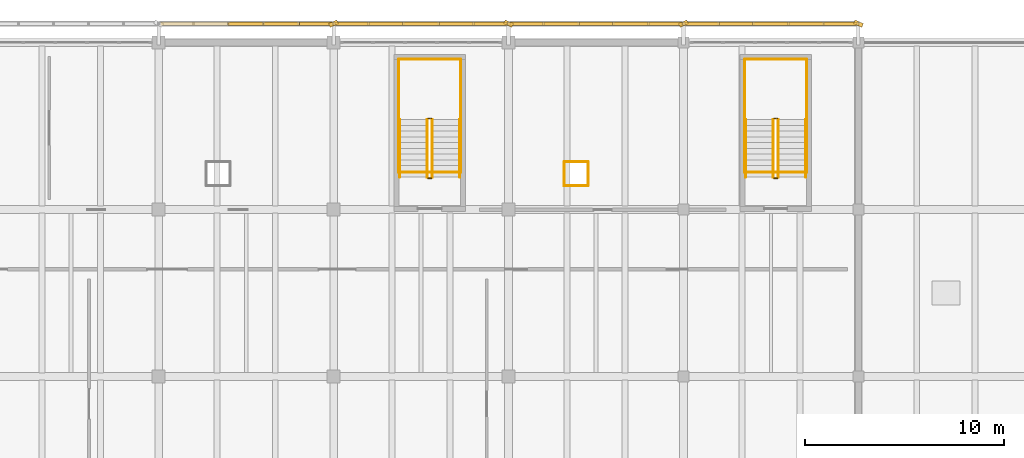
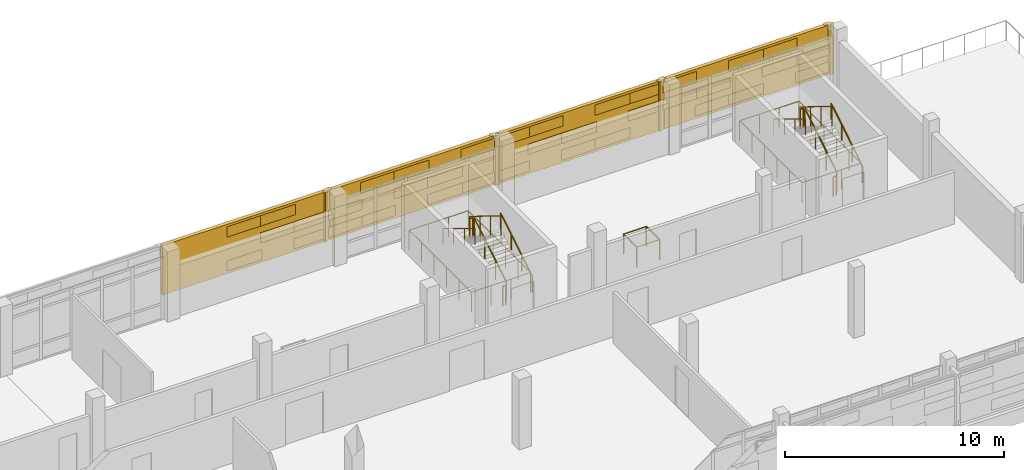
# One storey, part 115 of 117: 40 coverings, 24 railings, 4 shading devices.
"""IFC4 building model written with IfcOpenShell, lengths in metres."""

from ifc_helpers import new_model, si_unit, direction, frame, origin, origin_2d, place, context, subcontext, project, spatial, rectangle, circle, extrude, material, layer, layer_set, type_object, element, save


model = new_model("IFC4")

# Units and contexts
model_context = context("Model", 3, precision=1e-05, world=origin(), true_north=direction((0.0, 1.0)))
body_context = subcontext(model_context, "Body", "Model", "MODEL_VIEW")
ifc_project = project(units=[si_unit("LENGTHUNIT", "METRE"), si_unit("AREAUNIT", "SQUARE_METRE"), si_unit("VOLUMEUNIT", "CUBIC_METRE"), si_unit("PLANEANGLEUNIT", "RADIAN"), si_unit("MASSUNIT", "GRAM", prefix="KILO")], contexts=[model_context])

# Site, building, storey
site_placement = place(None, origin())
site = spatial("IfcSite", under=ifc_project, at=site_placement, CompositionType="ELEMENT")
building_placement = place(site_placement, origin())
building = spatial("IfcBuilding", under=site, at=building_placement, Name="Cinderway Yard Community Centre", CompositionType="ELEMENT")
storey_placement = place(building_placement, frame((0.0, 0.0, 9.0)))
storey = spatial("IfcBuildingStorey", under=building, at=storey_placement, Name="L02", CompositionType="ELEMENT", Elevation=9.0)

# Coverings
ifc_material_1 = material(Name="Brick Masonry", Category="masonry")
ifc_layer = layer(ifc_material_1, 0.18994140625, Name="Brick Masonry")
ifc_layer_set = layer_set([ifc_layer], Name="Brick Masonry")
covering_type = type_object("IfcCoveringType", Name="ENV-COV-BRK-SCREEN", PredefinedType="CLADDING", material=ifc_layer_set)
for number, where, z_axis, x_axis, name in (
    (1, (110.39990234375, 116.14990234375, 0.64990234375), (0.0, 0.0, 1.0), (0.913545457643, 0.406736643076, 0.0), "Deconstructivist folded brick fin 0142"),
    (2, (119.199951171875, 116.14990234375, 0.64990234375), (0.0, 0.0, 1.0), (0.913545457643, -0.406736643076, 0.0), "Deconstructivist folded brick fin 0143"),
    (3, (128.0, 116.14990234375, 0.64990234375), (0.0, 0.0, 1.0), (0.913545457643, 0.406736643076, 0.0), "Deconstructivist folded brick fin 0144"),
    (4, (136.800048828125, 116.14990234375, 0.64990234375), (0.0, 0.0, 1.0), (0.913545457643, -0.406736643076, 0.0), "Deconstructivist folded brick fin 0145"),
):
    element("IfcCovering", number, at=place(storey_placement, frame(where, z_axis=z_axis, x_axis=x_axis)), inside=storey, type_object=covering_type, Name=name, PredefinedType="CLADDING", context=body_context, shape_type="SweptSolid", body=[
        extrude(rectangle(XDim=0.4599609375, YDim=0.199951171875, at=origin_2d()), origin(), (0.0, 0.0, 1.0), 2.75),
    ])
for number, where, z_axis, x_axis, name in (
    (5, (106.0, 116.14990234375, 0.79052734375), (0.0, 0.0, 1.0), (1.0, 0.0, 0.0), "Open-bond perforated brick screen course 00217"),
    (6, (109.52001953125, 116.14990234375, 0.79052734375), (0.0, 0.0, 1.0), (1.0, 0.0, 0.0), "Open-bond perforated brick screen course 00218"),
    (7, (107.760009765625, 116.14990234375, 1.736328125), (0.0, 0.0, 1.0), (1.0, 0.0, 0.0), "Open-bond perforated brick screen course 00221"),
    (8, (109.52001953125, 116.14990234375, 1.736328125), (0.0, 0.0, 1.0), (1.0, 0.0, 0.0), "Open-bond perforated brick screen course 00222"),
    (9, (106.0, 116.14990234375, 2.6826171875), (0.0, 0.0, 1.0), (1.0, 0.0, 0.0), "Open-bond perforated brick screen course 00224"),
    (10, (107.760009765625, 116.14990234375, 2.6826171875), (0.0, 0.0, 1.0), (1.0, 0.0, 0.0), "Open-bond perforated brick screen course 00225"),
    (11, (111.280029296875, 116.14990234375, 0.79052734375), (0.0, 0.0, 1.0), (1.0, 0.0, 0.0), "Open-bond perforated brick screen course 00226"),
    (12, (113.0400390625, 116.14990234375, 0.79052734375), (0.0, 0.0, 1.0), (1.0, 0.0, 0.0), "Open-bond perforated brick screen course 00227"),
    (13, (116.56005859375, 116.14990234375, 0.79052734375), (0.0, 0.0, 1.0), (1.0, 0.0, 0.0), "Open-bond perforated brick screen course 00228"),
    (14, (118.320068359375, 116.14990234375, 0.79052734375), (0.0, 0.0, 1.0), (1.0, 0.0, 0.0), "Open-bond perforated brick screen course 00229"),
    (15, (111.280029296875, 116.14990234375, 1.736328125), (0.0, 0.0, 1.0), (1.0, 0.0, 0.0), "Open-bond perforated brick screen course 00230"),
    (16, (114.800048828125, 116.14990234375, 1.736328125), (0.0, 0.0, 1.0), (1.0, 0.0, 0.0), "Open-bond perforated brick screen course 00231"),
    (17, (116.56005859375, 116.14990234375, 1.736328125), (0.0, 0.0, 1.0), (1.0, 0.0, 0.0), "Open-bond perforated brick screen course 00232"),
    (18, (113.0400390625, 116.14990234375, 2.6826171875), (0.0, 0.0, 1.0), (1.0, 0.0, 0.0), "Open-bond perforated brick screen course 00233"),
    (19, (114.800048828125, 116.14990234375, 2.6826171875), (0.0, 0.0, 1.0), (1.0, 0.0, 0.0), "Open-bond perforated brick screen course 00234"),
    (20, (118.320068359375, 116.14990234375, 2.6826171875), (0.0, 0.0, 1.0), (1.0, 0.0, 0.0), "Open-bond perforated brick screen course 00235"),
    (21, (120.080078125, 116.14990234375, 0.79052734375), (0.0, 0.0, 1.0), (1.0, 0.0, 0.0), "Open-bond perforated brick screen course 00236"),
    (22, (123.60009765625, 116.14990234375, 0.79052734375), (0.0, 0.0, 1.0), (1.0, 0.0, 0.0), "Open-bond perforated brick screen course 00237"),
    (23, (125.360107421875, 116.14990234375, 0.79052734375), (0.0, 0.0, 1.0), (1.0, 0.0, 0.0), "Open-bond perforated brick screen course 00238"),
    (24, (121.840087890625, 116.14990234375, 1.736328125), (0.0, 0.0, 1.0), (1.0, 0.0, 0.0), "Open-bond perforated brick screen course 00239"),
    (25, (123.60009765625, 116.14990234375, 1.736328125), (0.0, 0.0, 1.0), (1.0, 0.0, 0.0), "Open-bond perforated brick screen course 00240"),
    (26, (127.1201171875, 116.14990234375, 1.736328125), (0.0, 0.0, 1.0), (1.0, 0.0, 0.0), "Open-bond perforated brick screen course 00241"),
    (27, (120.080078125, 116.14990234375, 2.6826171875), (0.0, 0.0, 1.0), (1.0, 0.0, 0.0), "Open-bond perforated brick screen course 00242"),
    (28, (121.840087890625, 116.14990234375, 2.6826171875), (0.0, 0.0, 1.0), (1.0, 0.0, 0.0), "Open-bond perforated brick screen course 00243"),
    (29, (125.360107421875, 116.14990234375, 2.6826171875), (0.0, 0.0, 1.0), (1.0, 0.0, 0.0), "Open-bond perforated brick screen course 00244"),
    (30, (127.1201171875, 116.14990234375, 2.6826171875), (0.0, 0.0, 1.0), (1.0, 0.0, 0.0), "Open-bond perforated brick screen course 00245"),
    (31, (130.639892578125, 116.14990234375, 0.79052734375), (0.0, 0.0, 1.0), (1.0, 0.0, 0.0), "Open-bond perforated brick screen course 00246"),
    (32, (132.39990234375, 116.14990234375, 0.79052734375), (0.0, 0.0, 1.0), (1.0, 0.0, 0.0), "Open-bond perforated brick screen course 00247"),
    (33, (135.919921875, 116.14990234375, 0.79052734375), (0.0, 0.0, 1.0), (1.0, 0.0, 0.0), "Open-bond perforated brick screen course 00248"),
    (34, (128.8798828125, 116.14990234375, 1.736328125), (0.0, 0.0, 1.0), (1.0, 0.0, 0.0), "Open-bond perforated brick screen course 00249"),
    (35, (130.639892578125, 116.14990234375, 1.736328125), (0.0, 0.0, 1.0), (1.0, 0.0, 0.0), "Open-bond perforated brick screen course 00250"),
    (36, (134.159912109375, 116.14990234375, 1.736328125), (0.0, 0.0, 1.0), (1.0, 0.0, 0.0), "Open-bond perforated brick screen course 00251"),
    (37, (135.919921875, 116.14990234375, 1.736328125), (0.0, 0.0, 1.0), (1.0, 0.0, 0.0), "Open-bond perforated brick screen course 00252"),
    (38, (128.8798828125, 116.14990234375, 2.6826171875), (0.0, 0.0, 1.0), (1.0, 0.0, 0.0), "Open-bond perforated brick screen course 00253"),
    (39, (132.39990234375, 116.14990234375, 2.6826171875), (0.0, 0.0, 1.0), (1.0, 0.0, 0.0), "Open-bond perforated brick screen course 00254"),
    (40, (134.159912109375, 116.14990234375, 2.6826171875), (0.0, 0.0, 1.0), (1.0, 0.0, 0.0), "Open-bond perforated brick screen course 00255"),
):
    element("IfcCovering", number, at=place(storey_placement, frame(where, z_axis=z_axis, x_axis=x_axis)), inside=storey, type_object=covering_type, Name=name, PredefinedType="CLADDING", context=body_context, shape_type="SweptSolid", body=[
        extrude(rectangle(XDim=1.840087890625, YDim=0.18994140625, at=origin_2d()), origin(), (0.0, 0.0, 1.0), 0.576904296875),
    ])

# Shading devices
shading_device_type = type_object("IfcShadingDeviceType", Name="ENV-SHD-BRICKSCREEN-A", PredefinedType="USERDEFINED", material=ifc_material_1)
for number, where, z_axis, x_axis, name in (
    (41, (106.0, 116.14990234375, 0.64990234375), (0.0, 0.0, 1.0), (1.0, 0.0, 0.0), "Street Perforated Brick Screen 0162"),
    (42, (114.800048828125, 116.14990234375, 0.64990234375), (0.0, 0.0, 1.0), (1.0, 0.0, 0.0), "Street Perforated Brick Screen 0170"),
    (43, (123.60009765625, 116.14990234375, 0.64990234375), (0.0, 0.0, 1.0), (1.0, 0.0, 0.0), "Street Perforated Brick Screen 0178"),
    (44, (132.39990234375, 116.14990234375, 0.64990234375), (0.0, 0.0, 1.0), (1.0, 0.0, 0.0), "Street Perforated Brick Screen 0186"),
):
    element("IfcShadingDevice", number, at=place(storey_placement, frame(where, z_axis=z_axis, x_axis=x_axis)), inside=storey, type_object=shading_device_type, Name=name, ObjectType="PERFORATED BRICK SCREEN", PredefinedType="USERDEFINED", context=body_context, shape_type="SweptSolid", body=[
        extrude(rectangle(XDim=8.60009765625, YDim=0.18994140625, at=origin_2d()), origin(), (0.0, 0.0, 1.0), 2.75),
    ])

# Railings
ifc_material_2 = material(Name="Painted Galvanised Steel", Category="steel")
railing_type_1 = type_object("IfcRailingType", Name="INT-RAL-GRD112", PredefinedType="GUARDRAIL", material=ifc_material_2)
railing_1_placement = place(storey_placement, frame((115.3701171875, 108.429931640625, 0.17724609375)))
element("IfcRailing", 45, at=railing_1_placement, inside=storey, type_object=railing_type_1, Name="L02 ST-03 stair guard 1", PredefinedType="GUARDRAIL", context=body_context, shape_type="SweptSolid", body=[
    extrude(circle(Radius=0.02392578125, at=origin_2d()), frame((0.0, 0.0, 1.076171875), z_axis=(0.0, 0.853230340181, 0.521534262148), x_axis=(-1.0, 0.0, 0.0)), (0.0, 0.0, 1.0), 3.39892578125),
    extrude(circle(Radius=0.02099609375, at=origin_2d()), origin(), (0.0, 0.0, 1.0), 1.052001953125),
    extrude(circle(Radius=0.02099609375, at=origin_2d()), frame((0.0, 0.966796875, 0.5908203125)), (0.0, 0.0, 1.0), 1.052001953125),
    extrude(circle(Radius=0.02099609375, at=origin_2d()), frame((0.0, 1.933349609375, 1.181884765625)), (0.0, 0.0, 1.0), 1.052001953125),
    extrude(circle(Radius=0.02099609375, at=origin_2d()), frame((0.0, 2.900146484375, 1.772705078125)), (0.0, 0.0, 1.0), 1.052001953125),
])
railing_2_placement = place(storey_placement, frame((115.320068359375, 111.3798828125, 1.949951171875)))
element("IfcRailing", 46, at=railing_2_placement, inside=storey, type_object=railing_type_1, Name="L02 ST-03 stair guard 2", PredefinedType="GUARDRAIL", context=body_context, shape_type="SweptSolid", body=[
    extrude(circle(Radius=0.02392578125, at=origin_2d()), frame((0.0, 0.0, 1.076171875), z_axis=(-1.0, 0.0, 0.0), x_axis=(0.0, -1.0, 0.0)), (0.0, 0.0, 1.0), 0.16015625),
    extrude(circle(Radius=0.02099609375, at=origin_2d()), origin(), (0.0, 0.0, 1.0), 1.052001953125),
    extrude(circle(Radius=0.02099609375, at=origin_2d()), frame((-0.16015625, 0.0, 0.0)), (0.0, 0.0, 1.0), 1.052001953125),
])
railing_3_placement = place(storey_placement, frame((115.110107421875, 111.330078125, 2.127197265625)))
element("IfcRailing", 47, at=railing_3_placement, inside=storey, type_object=railing_type_1, Name="L02 ST-03 stair guard 3", PredefinedType="GUARDRAIL", context=body_context, shape_type="SweptSolid", body=[
    extrude(circle(Radius=0.02392578125, at=origin_2d()), frame((0.0, 0.0, 1.076171875), z_axis=(0.0, -0.853230340181, 0.521534262148), x_axis=(1.0, 0.0, 0.0)), (0.0, 0.0, 1.0), 3.39892578125),
    extrude(circle(Radius=0.02099609375, at=origin_2d()), origin(), (0.0, 0.0, 1.0), 1.052001953125),
    extrude(circle(Radius=0.02099609375, at=origin_2d()), frame((0.0, -0.966796875, 0.5908203125)), (0.0, 0.0, 1.0), 1.052001953125),
    extrude(circle(Radius=0.02099609375, at=origin_2d()), frame((0.0, -1.933349609375, 1.181884765625)), (0.0, 0.0, 1.0), 1.052001953125),
    extrude(circle(Radius=0.02099609375, at=origin_2d()), frame((0.0, -2.900146484375, 1.772705078125)), (0.0, 0.0, 1.0), 1.052001953125),
])
railing_4_placement = place(storey_placement, frame((115.320068359375, 108.3798828125, 0.0)))
element("IfcRailing", 48, at=railing_4_placement, inside=storey, type_object=railing_type_1, Name="L02 ST-03 stair guard 4", PredefinedType="GUARDRAIL", context=body_context, shape_type="SweptSolid", body=[
    extrude(circle(Radius=0.02392578125, at=origin_2d()), frame((0.0, 0.0, 1.076171875), z_axis=(-1.0, 0.0, 0.0), x_axis=(0.0, -1.0, 0.0)), (0.0, 0.0, 1.0), 0.16015625),
    extrude(circle(Radius=0.02099609375, at=origin_2d()), origin(), (0.0, 0.0, 1.0), 1.052001953125),
    extrude(circle(Radius=0.02099609375, at=origin_2d()), frame((-0.16015625, 0.0, 0.0)), (0.0, 0.0, 1.0), 1.052001953125),
])
railing_5_placement = place(storey_placement, frame((132.77001953125, 108.429931640625, 0.17724609375)))
element("IfcRailing", 49, at=railing_5_placement, inside=storey, type_object=railing_type_1, Name="L02 ST-04 stair guard 1", PredefinedType="GUARDRAIL", context=body_context, shape_type="SweptSolid", body=[
    extrude(circle(Radius=0.02392578125, at=origin_2d()), frame((0.0, 0.0, 1.076171875), z_axis=(0.0, 0.853230340181, 0.521534262148), x_axis=(-1.0, 0.0, 0.0)), (0.0, 0.0, 1.0), 3.39892578125),
    extrude(circle(Radius=0.02099609375, at=origin_2d()), origin(), (0.0, 0.0, 1.0), 1.052001953125),
    extrude(circle(Radius=0.02099609375, at=origin_2d()), frame((0.0, 0.966796875, 0.5908203125)), (0.0, 0.0, 1.0), 1.052001953125),
    extrude(circle(Radius=0.02099609375, at=origin_2d()), frame((0.0, 1.933349609375, 1.181884765625)), (0.0, 0.0, 1.0), 1.052001953125),
    extrude(circle(Radius=0.02099609375, at=origin_2d()), frame((0.0, 2.900146484375, 1.772705078125)), (0.0, 0.0, 1.0), 1.052001953125),
])
railing_6_placement = place(storey_placement, frame((132.719970703125, 111.3798828125, 1.949951171875)))
element("IfcRailing", 50, at=railing_6_placement, inside=storey, type_object=railing_type_1, Name="L02 ST-04 stair guard 2", PredefinedType="GUARDRAIL", context=body_context, shape_type="SweptSolid", body=[
    extrude(circle(Radius=0.02392578125, at=origin_2d()), frame((0.0, 0.0, 1.076171875), z_axis=(-1.0, 0.0, 0.0), x_axis=(0.0, -1.0, 0.0)), (0.0, 0.0, 1.0), 0.159912109375),
    extrude(circle(Radius=0.02099609375, at=origin_2d()), origin(), (0.0, 0.0, 1.0), 1.052001953125),
    extrude(circle(Radius=0.02099609375, at=origin_2d()), frame((-0.159912109375, 0.0, 0.0)), (0.0, 0.0, 1.0), 1.052001953125),
])
railing_7_placement = place(storey_placement, frame((132.510009765625, 111.330078125, 2.127197265625)))
element("IfcRailing", 51, at=railing_7_placement, inside=storey, type_object=railing_type_1, Name="L02 ST-04 stair guard 3", PredefinedType="GUARDRAIL", context=body_context, shape_type="SweptSolid", body=[
    extrude(circle(Radius=0.02392578125, at=origin_2d()), frame((0.0, 0.0, 1.076171875), z_axis=(0.0, -0.853230340181, 0.521534262148), x_axis=(1.0, 0.0, 0.0)), (0.0, 0.0, 1.0), 3.39892578125),
    extrude(circle(Radius=0.02099609375, at=origin_2d()), origin(), (0.0, 0.0, 1.0), 1.052001953125),
    extrude(circle(Radius=0.02099609375, at=origin_2d()), frame((0.0, -0.966796875, 0.5908203125)), (0.0, 0.0, 1.0), 1.052001953125),
    extrude(circle(Radius=0.02099609375, at=origin_2d()), frame((0.0, -1.933349609375, 1.181884765625)), (0.0, 0.0, 1.0), 1.052001953125),
    extrude(circle(Radius=0.02099609375, at=origin_2d()), frame((0.0, -2.900146484375, 1.772705078125)), (0.0, 0.0, 1.0), 1.052001953125),
])
railing_8_placement = place(storey_placement, frame((132.719970703125, 108.3798828125, 0.0)))
element("IfcRailing", 52, at=railing_8_placement, inside=storey, type_object=railing_type_1, Name="L02 ST-04 stair guard 4", PredefinedType="GUARDRAIL", context=body_context, shape_type="SweptSolid", body=[
    extrude(circle(Radius=0.02392578125, at=origin_2d()), frame((0.0, 0.0, 1.076171875), z_axis=(-1.0, 0.0, 0.0), x_axis=(0.0, -1.0, 0.0)), (0.0, 0.0, 1.0), 0.159912109375),
    extrude(circle(Radius=0.02099609375, at=origin_2d()), origin(), (0.0, 0.0, 1.0), 1.052001953125),
    extrude(circle(Radius=0.02099609375, at=origin_2d()), frame((-0.159912109375, 0.0, 0.0)), (0.0, 0.0, 1.0), 1.052001953125),
])
railing_9_placement = place(storey_placement, frame((116.800048828125, 108.669921875, 0.0)))
element("IfcRailing", 53, at=railing_9_placement, inside=storey, type_object=railing_type_1, Name="Service void perimeter guard L02 159", PredefinedType="GUARDRAIL", context=body_context, shape_type="SweptSolid", body=[
    extrude(circle(Radius=0.02392578125, at=origin_2d()), frame((0.0, 0.0, 1.09619140625), z_axis=(0.0, 1.0, 0.0), x_axis=(-1.0, 0.0, 0.0)), (0.0, 0.0, 1.0), 5.68017578125),
    extrude(circle(Radius=0.02099609375, at=origin_2d()), origin(), (0.0, 0.0, 1.0), 1.072021484375),
    extrude(circle(Radius=0.02099609375, at=origin_2d()), frame((0.0, 1.135986328125, 0.0)), (0.0, 0.0, 1.0), 1.072021484375),
    extrude(circle(Radius=0.02099609375, at=origin_2d()), frame((0.0, 2.27197265625, 0.0)), (0.0, 0.0, 1.0), 1.072021484375),
    extrude(circle(Radius=0.02099609375, at=origin_2d()), frame((0.0, 3.408203125, 0.0)), (0.0, 0.0, 1.0), 1.072021484375),
    extrude(circle(Radius=0.02099609375, at=origin_2d()), frame((0.0, 4.544189453125, 0.0)), (0.0, 0.0, 1.0), 1.072021484375),
    extrude(circle(Radius=0.02099609375, at=origin_2d()), frame((0.0, 5.68017578125, 0.0)), (0.0, 0.0, 1.0), 1.072021484375),
])
railing_10_placement = place(storey_placement, frame((116.800048828125, 114.35009765625, 0.0)))
element("IfcRailing", 54, at=railing_10_placement, inside=storey, type_object=railing_type_1, Name="Service void perimeter guard L02 160", PredefinedType="GUARDRAIL", context=body_context, shape_type="SweptSolid", body=[
    extrude(circle(Radius=0.02392578125, at=origin_2d()), frame((0.0, 0.0, 1.09619140625), z_axis=(-1.0, 0.0, 0.0), x_axis=(0.0, -1.0, 0.0)), (0.0, 0.0, 1.0), 3.1201171875),
    extrude(circle(Radius=0.02099609375, at=origin_2d()), origin(), (0.0, 0.0, 1.0), 1.072021484375),
    extrude(circle(Radius=0.02099609375, at=origin_2d()), frame((-1.0400390625, 0.0, 0.0)), (0.0, 0.0, 1.0), 1.072021484375),
    extrude(circle(Radius=0.02099609375, at=origin_2d()), frame((-2.080078125, 0.0, 0.0)), (0.0, 0.0, 1.0), 1.072021484375),
    extrude(circle(Radius=0.02099609375, at=origin_2d()), frame((-3.1201171875, 0.0, 0.0)), (0.0, 0.0, 1.0), 1.072021484375),
])
railing_11_placement = place(storey_placement, frame((113.679931640625, 114.35009765625, 0.0)))
element("IfcRailing", 55, at=railing_11_placement, inside=storey, type_object=railing_type_1, Name="Service void perimeter guard L02 161", PredefinedType="GUARDRAIL", context=body_context, shape_type="SweptSolid", body=[
    extrude(circle(Radius=0.02392578125, at=origin_2d()), frame((0.0, 0.0, 1.09619140625), z_axis=(0.0, -1.0, 0.0), x_axis=(1.0, 0.0, 0.0)), (0.0, 0.0, 1.0), 5.68017578125),
    extrude(circle(Radius=0.02099609375, at=origin_2d()), origin(), (0.0, 0.0, 1.0), 1.072021484375),
    extrude(circle(Radius=0.02099609375, at=origin_2d()), frame((0.0, -1.135986328125, 0.0)), (0.0, 0.0, 1.0), 1.072021484375),
    extrude(circle(Radius=0.02099609375, at=origin_2d()), frame((0.0, -2.27197265625, 0.0)), (0.0, 0.0, 1.0), 1.072021484375),
    extrude(circle(Radius=0.02099609375, at=origin_2d()), frame((0.0, -3.408203125, 0.0)), (0.0, 0.0, 1.0), 1.072021484375),
    extrude(circle(Radius=0.02099609375, at=origin_2d()), frame((0.0, -4.544189453125, 0.0)), (0.0, 0.0, 1.0), 1.072021484375),
    extrude(circle(Radius=0.02099609375, at=origin_2d()), frame((0.0, -5.68017578125, 0.0)), (0.0, 0.0, 1.0), 1.072021484375),
])
railing_12_placement = place(storey_placement, frame((113.679931640625, 108.669921875, 0.0)))
element("IfcRailing", 56, at=railing_12_placement, inside=storey, type_object=railing_type_1, Name="Service void perimeter guard L02 162", PredefinedType="GUARDRAIL", context=body_context, shape_type="SweptSolid", body=[
    extrude(circle(Radius=0.02392578125, at=origin_2d()), frame((0.0, 0.0, 1.09619140625), z_axis=(1.0, 0.0, 0.0), x_axis=(0.0, 1.0, 0.0)), (0.0, 0.0, 1.0), 3.1201171875),
    extrude(circle(Radius=0.02099609375, at=origin_2d()), origin(), (0.0, 0.0, 1.0), 1.072021484375),
    extrude(circle(Radius=0.02099609375, at=origin_2d()), frame((1.0400390625, 0.0, 0.0)), (0.0, 0.0, 1.0), 1.072021484375),
    extrude(circle(Radius=0.02099609375, at=origin_2d()), frame((2.080078125, 0.0, 0.0)), (0.0, 0.0, 1.0), 1.072021484375),
    extrude(circle(Radius=0.02099609375, at=origin_2d()), frame((3.1201171875, 0.0, 0.0)), (0.0, 0.0, 1.0), 1.072021484375),
])
railing_13_placement = place(storey_placement, frame((134.199951171875, 108.669921875, 0.0)))
element("IfcRailing", 57, at=railing_13_placement, inside=storey, type_object=railing_type_1, Name="Service void perimeter guard L02 167", PredefinedType="GUARDRAIL", context=body_context, shape_type="SweptSolid", body=[
    extrude(circle(Radius=0.02392578125, at=origin_2d()), frame((0.0, 0.0, 1.09619140625), z_axis=(0.0, 1.0, 0.0), x_axis=(-1.0, 0.0, 0.0)), (0.0, 0.0, 1.0), 5.68017578125),
    extrude(circle(Radius=0.02099609375, at=origin_2d()), origin(), (0.0, 0.0, 1.0), 1.072021484375),
    extrude(circle(Radius=0.02099609375, at=origin_2d()), frame((0.0, 1.135986328125, 0.0)), (0.0, 0.0, 1.0), 1.072021484375),
    extrude(circle(Radius=0.02099609375, at=origin_2d()), frame((0.0, 2.27197265625, 0.0)), (0.0, 0.0, 1.0), 1.072021484375),
    extrude(circle(Radius=0.02099609375, at=origin_2d()), frame((0.0, 3.408203125, 0.0)), (0.0, 0.0, 1.0), 1.072021484375),
    extrude(circle(Radius=0.02099609375, at=origin_2d()), frame((0.0, 4.544189453125, 0.0)), (0.0, 0.0, 1.0), 1.072021484375),
    extrude(circle(Radius=0.02099609375, at=origin_2d()), frame((0.0, 5.68017578125, 0.0)), (0.0, 0.0, 1.0), 1.072021484375),
])
railing_14_placement = place(storey_placement, frame((134.199951171875, 114.35009765625, 0.0)))
element("IfcRailing", 58, at=railing_14_placement, inside=storey, type_object=railing_type_1, Name="Service void perimeter guard L02 168", PredefinedType="GUARDRAIL", context=body_context, shape_type="SweptSolid", body=[
    extrude(circle(Radius=0.02392578125, at=origin_2d()), frame((0.0, 0.0, 1.09619140625), z_axis=(-1.0, 0.0, 0.0), x_axis=(0.0, -1.0, 0.0)), (0.0, 0.0, 1.0), 3.119873046875),
    extrude(circle(Radius=0.02099609375, at=origin_2d()), origin(), (0.0, 0.0, 1.0), 1.072021484375),
    extrude(circle(Radius=0.02099609375, at=origin_2d()), frame((-1.0400390625, 0.0, 0.0)), (0.0, 0.0, 1.0), 1.072021484375),
    extrude(circle(Radius=0.02099609375, at=origin_2d()), frame((-2.079833984375, 0.0, 0.0)), (0.0, 0.0, 1.0), 1.072021484375),
    extrude(circle(Radius=0.02099609375, at=origin_2d()), frame((-3.119873046875, 0.0, 0.0)), (0.0, 0.0, 1.0), 1.072021484375),
])
railing_15_placement = place(storey_placement, frame((131.080078125, 114.35009765625, 0.0)))
element("IfcRailing", 59, at=railing_15_placement, inside=storey, type_object=railing_type_1, Name="Service void perimeter guard L02 169", PredefinedType="GUARDRAIL", context=body_context, shape_type="SweptSolid", body=[
    extrude(circle(Radius=0.02392578125, at=origin_2d()), frame((0.0, 0.0, 1.09619140625), z_axis=(0.0, -1.0, 0.0), x_axis=(1.0, 0.0, 0.0)), (0.0, 0.0, 1.0), 5.68017578125),
    extrude(circle(Radius=0.02099609375, at=origin_2d()), origin(), (0.0, 0.0, 1.0), 1.072021484375),
    extrude(circle(Radius=0.02099609375, at=origin_2d()), frame((0.0, -1.135986328125, 0.0)), (0.0, 0.0, 1.0), 1.072021484375),
    extrude(circle(Radius=0.02099609375, at=origin_2d()), frame((0.0, -2.27197265625, 0.0)), (0.0, 0.0, 1.0), 1.072021484375),
    extrude(circle(Radius=0.02099609375, at=origin_2d()), frame((0.0, -3.408203125, 0.0)), (0.0, 0.0, 1.0), 1.072021484375),
    extrude(circle(Radius=0.02099609375, at=origin_2d()), frame((0.0, -4.544189453125, 0.0)), (0.0, 0.0, 1.0), 1.072021484375),
    extrude(circle(Radius=0.02099609375, at=origin_2d()), frame((0.0, -5.68017578125, 0.0)), (0.0, 0.0, 1.0), 1.072021484375),
])
railing_16_placement = place(storey_placement, frame((131.080078125, 108.669921875, 0.0)))
element("IfcRailing", 60, at=railing_16_placement, inside=storey, type_object=railing_type_1, Name="Service void perimeter guard L02 170", PredefinedType="GUARDRAIL", context=body_context, shape_type="SweptSolid", body=[
    extrude(circle(Radius=0.02392578125, at=origin_2d()), frame((0.0, 0.0, 1.09619140625), z_axis=(1.0, 0.0, 0.0), x_axis=(0.0, 1.0, 0.0)), (0.0, 0.0, 1.0), 3.119873046875),
    extrude(circle(Radius=0.02099609375, at=origin_2d()), origin(), (0.0, 0.0, 1.0), 1.072021484375),
    extrude(circle(Radius=0.02099609375, at=origin_2d()), frame((1.0400390625, 0.0, 0.0)), (0.0, 0.0, 1.0), 1.072021484375),
    extrude(circle(Radius=0.02099609375, at=origin_2d()), frame((2.079833984375, 0.0, 0.0)), (0.0, 0.0, 1.0), 1.072021484375),
    extrude(circle(Radius=0.02099609375, at=origin_2d()), frame((3.119873046875, 0.0, 0.0)), (0.0, 0.0, 1.0), 1.072021484375),
])
railing_17_placement = place(storey_placement, frame((122.0, 108.0, 0.0)))
element("IfcRailing", 61, at=railing_17_placement, inside=storey, type_object=railing_type_1, Name="Service void perimeter guard L02 171", PredefinedType="GUARDRAIL", context=body_context, shape_type="SweptSolid", body=[
    extrude(circle(Radius=0.02392578125, at=origin_2d()), frame((0.0, 0.0, 1.09619140625), z_axis=(1.0, 0.0, 0.0), x_axis=(0.0, 1.0, 0.0)), (0.0, 0.0, 1.0), 1.199951171875),
    extrude(circle(Radius=0.02099609375, at=origin_2d()), origin(), (0.0, 0.0, 1.0), 1.072021484375),
    extrude(circle(Radius=0.02099609375, at=origin_2d()), frame((1.199951171875, 0.0, 0.0)), (0.0, 0.0, 1.0), 1.072021484375),
])
railing_18_placement = place(storey_placement, frame((123.199951171875, 108.0, 0.0)))
element("IfcRailing", 62, at=railing_18_placement, inside=storey, type_object=railing_type_1, Name="Service void perimeter guard L02 172", PredefinedType="GUARDRAIL", context=body_context, shape_type="SweptSolid", body=[
    extrude(circle(Radius=0.02392578125, at=origin_2d()), frame((0.0, 0.0, 1.09619140625), z_axis=(0.0, 1.0, 0.0), x_axis=(-1.0, 0.0, 0.0)), (0.0, 0.0, 1.0), 1.199951171875),
    extrude(circle(Radius=0.02099609375, at=origin_2d()), origin(), (0.0, 0.0, 1.0), 1.072021484375),
    extrude(circle(Radius=0.02099609375, at=origin_2d()), frame((0.0, 1.199951171875, 0.0)), (0.0, 0.0, 1.0), 1.072021484375),
])
railing_19_placement = place(storey_placement, frame((123.199951171875, 109.199951171875, 0.0)))
element("IfcRailing", 63, at=railing_19_placement, inside=storey, type_object=railing_type_1, Name="Service void perimeter guard L02 173", PredefinedType="GUARDRAIL", context=body_context, shape_type="SweptSolid", body=[
    extrude(circle(Radius=0.02392578125, at=origin_2d()), frame((0.0, 0.0, 1.09619140625), z_axis=(-1.0, 0.0, 0.0), x_axis=(0.0, -1.0, 0.0)), (0.0, 0.0, 1.0), 1.199951171875),
    extrude(circle(Radius=0.02099609375, at=origin_2d()), origin(), (0.0, 0.0, 1.0), 1.072021484375),
    extrude(circle(Radius=0.02099609375, at=origin_2d()), frame((-1.199951171875, 0.0, 0.0)), (0.0, 0.0, 1.0), 1.072021484375),
])
railing_20_placement = place(storey_placement, frame((122.0, 109.199951171875, 0.0)))
element("IfcRailing", 64, at=railing_20_placement, inside=storey, type_object=railing_type_1, Name="Service void perimeter guard L02 174", PredefinedType="GUARDRAIL", context=body_context, shape_type="SweptSolid", body=[
    extrude(circle(Radius=0.02392578125, at=origin_2d()), frame((0.0, 0.0, 1.09619140625), z_axis=(0.0, -1.0, 0.0), x_axis=(1.0, 0.0, 0.0)), (0.0, 0.0, 1.0), 1.199951171875),
    extrude(circle(Radius=0.02099609375, at=origin_2d()), origin(), (0.0, 0.0, 1.0), 1.072021484375),
    extrude(circle(Radius=0.02099609375, at=origin_2d()), frame((0.0, -1.199951171875, 0.0)), (0.0, 0.0, 1.0), 1.072021484375),
])
railing_type_2 = type_object("IfcRailingType", Name="INT-RAL-HND090", PredefinedType="HANDRAIL", material=ifc_material_2)
railing_21_placement = place(storey_placement, frame((116.75, 108.429931640625, 0.17724609375)))
element("IfcRailing", 65, at=railing_21_placement, inside=storey, type_object=railing_type_2, Name="L02 ST-03 stair handrail 1", PredefinedType="HANDRAIL", context=body_context, shape_type="SweptSolid", body=[
    extrude(circle(Radius=0.02392578125, at=origin_2d()), frame((0.0, 0.0, 0.8759765625), z_axis=(0.0, 0.853230340181, 0.521534262148), x_axis=(-1.0, 0.0, 0.0)), (0.0, 0.0, 1.0), 3.39892578125),
    extrude(circle(Radius=0.02099609375, at=origin_2d()), origin(), (0.0, 0.0, 1.0), 0.851806640625),
    extrude(circle(Radius=0.02099609375, at=origin_2d()), frame((0.0, 0.966796875, 0.5908203125)), (0.0, 0.0, 1.0), 0.851806640625),
    extrude(circle(Radius=0.02099609375, at=origin_2d()), frame((0.0, 1.933349609375, 1.181884765625)), (0.0, 0.0, 1.0), 0.851806640625),
    extrude(circle(Radius=0.02099609375, at=origin_2d()), frame((0.0, 2.900146484375, 1.772705078125)), (0.0, 0.0, 1.0), 0.851806640625),
])
railing_22_placement = place(storey_placement, frame((113.72998046875, 111.330078125, 2.127197265625)))
element("IfcRailing", 66, at=railing_22_placement, inside=storey, type_object=railing_type_2, Name="L02 ST-03 stair handrail 2", PredefinedType="HANDRAIL", context=body_context, shape_type="SweptSolid", body=[
    extrude(circle(Radius=0.02392578125, at=origin_2d()), frame((0.0, 0.0, 0.8759765625), z_axis=(0.0, -0.853230340181, 0.521534262148), x_axis=(1.0, 0.0, 0.0)), (0.0, 0.0, 1.0), 3.39892578125),
    extrude(circle(Radius=0.02099609375, at=origin_2d()), origin(), (0.0, 0.0, 1.0), 0.851806640625),
    extrude(circle(Radius=0.02099609375, at=origin_2d()), frame((0.0, -0.966796875, 0.5908203125)), (0.0, 0.0, 1.0), 0.851806640625),
    extrude(circle(Radius=0.02099609375, at=origin_2d()), frame((0.0, -1.933349609375, 1.181884765625)), (0.0, 0.0, 1.0), 0.851806640625),
    extrude(circle(Radius=0.02099609375, at=origin_2d()), frame((0.0, -2.900146484375, 1.772705078125)), (0.0, 0.0, 1.0), 0.851806640625),
])
railing_23_placement = place(storey_placement, frame((134.14990234375, 108.429931640625, 0.17724609375)))
element("IfcRailing", 67, at=railing_23_placement, inside=storey, type_object=railing_type_2, Name="L02 ST-04 stair handrail 1", PredefinedType="HANDRAIL", context=body_context, shape_type="SweptSolid", body=[
    extrude(circle(Radius=0.02392578125, at=origin_2d()), frame((0.0, 0.0, 0.8759765625), z_axis=(0.0, 0.853230340181, 0.521534262148), x_axis=(-1.0, 0.0, 0.0)), (0.0, 0.0, 1.0), 3.39892578125),
    extrude(circle(Radius=0.02099609375, at=origin_2d()), origin(), (0.0, 0.0, 1.0), 0.851806640625),
    extrude(circle(Radius=0.02099609375, at=origin_2d()), frame((0.0, 0.966796875, 0.5908203125)), (0.0, 0.0, 1.0), 0.851806640625),
    extrude(circle(Radius=0.02099609375, at=origin_2d()), frame((0.0, 1.933349609375, 1.181884765625)), (0.0, 0.0, 1.0), 0.851806640625),
    extrude(circle(Radius=0.02099609375, at=origin_2d()), frame((0.0, 2.900146484375, 1.772705078125)), (0.0, 0.0, 1.0), 0.851806640625),
])
railing_24_placement = place(storey_placement, frame((131.1298828125, 111.330078125, 2.127197265625)))
element("IfcRailing", 68, at=railing_24_placement, inside=storey, type_object=railing_type_2, Name="L02 ST-04 stair handrail 2", PredefinedType="HANDRAIL", context=body_context, shape_type="SweptSolid", body=[
    extrude(circle(Radius=0.02392578125, at=origin_2d()), frame((0.0, 0.0, 0.8759765625), z_axis=(0.0, -0.853230340181, 0.521534262148), x_axis=(1.0, 0.0, 0.0)), (0.0, 0.0, 1.0), 3.39892578125),
    extrude(circle(Radius=0.02099609375, at=origin_2d()), origin(), (0.0, 0.0, 1.0), 0.851806640625),
    extrude(circle(Radius=0.02099609375, at=origin_2d()), frame((0.0, -0.966796875, 0.5908203125)), (0.0, 0.0, 1.0), 0.851806640625),
    extrude(circle(Radius=0.02099609375, at=origin_2d()), frame((0.0, -1.933349609375, 1.181884765625)), (0.0, 0.0, 1.0), 0.851806640625),
    extrude(circle(Radius=0.02099609375, at=origin_2d()), frame((0.0, -2.900146484375, 1.772705078125)), (0.0, 0.0, 1.0), 0.851806640625),
])

save(model, "model.ifc")
